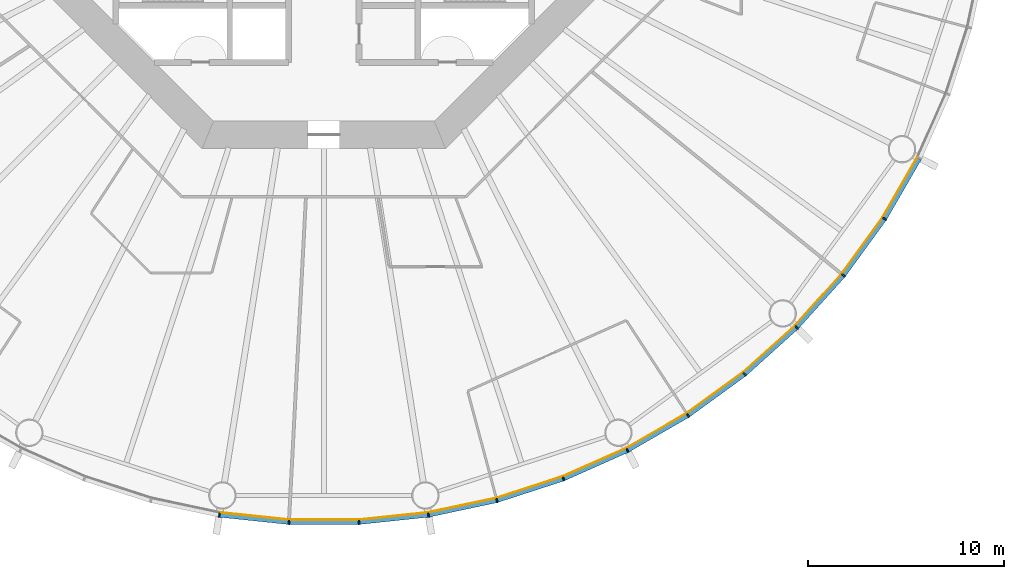
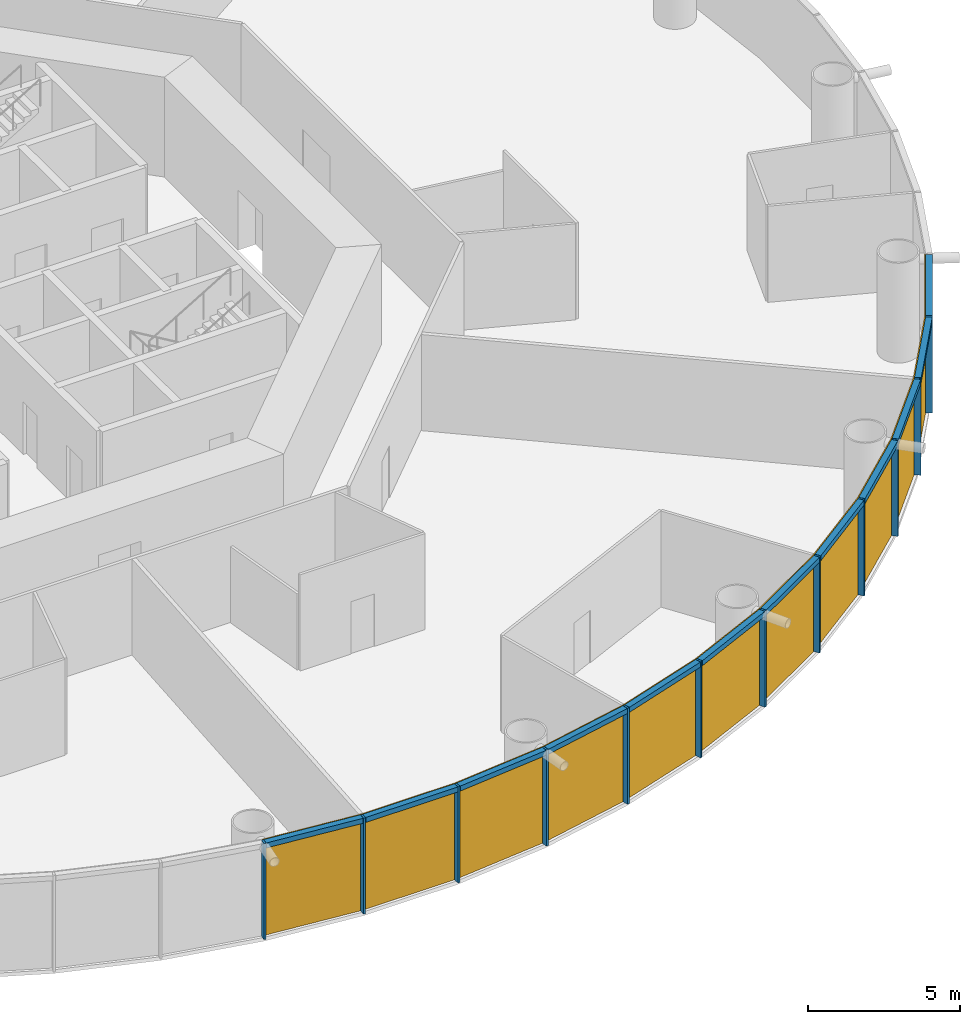
# One storey, part 8 of 13: 24 members, 4 curtain walls.
"""IFC4 building model written with IfcOpenShell, lengths in metres."""

from ifc_helpers import new_model, si_unit, direction, frame, origin, origin_2d, place, context, subcontext, project, spatial, polyline, rectangle, outline, extrude, material, layer, layer_set, material_profile, profile_set, type_object, element, aggregate, save


model = new_model("IFC4")

# Units and contexts
model_context = context("Model", 3, precision=1e-05, world=origin(), true_north=direction((0.0, 1.0)))
body_context = subcontext(model_context, "Body", "Model", "MODEL_VIEW")
ifc_project = project(units=[si_unit("LENGTHUNIT", "METRE"), si_unit("AREAUNIT", "SQUARE_METRE"), si_unit("VOLUMEUNIT", "CUBIC_METRE"), si_unit("PLANEANGLEUNIT", "RADIAN"), si_unit("MASSUNIT", "GRAM", prefix="KILO")], contexts=[model_context])

# Member
ifc_material_1 = material(Name="Anodised aluminium", Category="aluminium")
ifc_material_profile_1 = material_profile(ifc_material_1, rectangle(XDim=0.074951171875, YDim=0.219970703125, at=origin_2d()), Name="Mullion 75 x 220 mm anodised aluminium")
ifc_profile_set_1 = profile_set([ifc_material_profile_1], Name="Anodised aluminium")
member_type_1 = type_object("IfcMemberType", Name="Mullion 75 x 220 mm anodised aluminium", PredefinedType="MULLION", material=ifc_profile_set_1)
site_placement = place(None, origin())
building_placement = place(site_placement, origin())
storey_placement = place(building_placement, frame((0.0, 0.0, 34.0)))
member_1_placement = place(storey_placement, frame((84.6640625, 46.31005859375, 0.0), z_axis=(0.0, 0.0, 1.0), x_axis=(0.987688340595, -0.15643446504, 0.0)))
member_1 = element("IfcMember", 1, at=member_1_placement, type_object=member_type_1, Name="MULLION L06-42", PredefinedType="MULLION", context=body_context, shape_type="SweptSolid", body=[
    extrude(rectangle(XDim=0.074951171875, YDim=0.219970703125, at=origin_2d()), origin(), (0.0, 0.0, 1.0), 3.85009765625),
])

member_2_placement = place(storey_placement, frame((88.21484375, 45.936767578125, 0.0), z_axis=(0.0, 0.0, 1.0), x_axis=(0.998629534755, -0.052335956243, 0.0)))
member_2 = element("IfcMember", 2, at=member_2_placement, type_object=member_type_1, Name="MULLION L06-43", PredefinedType="MULLION", context=body_context, shape_type="SweptSolid", body=[
    extrude(rectangle(XDim=0.074951171875, YDim=0.219970703125, at=origin_2d()), origin(), (0.0, 0.0, 1.0), 3.85009765625),
])

member_3_placement = place(storey_placement, frame((91.78515625, 45.936767578125, 0.0), z_axis=(0.0, 0.0, 1.0), x_axis=(0.998629534755, 0.052335956243, 0.0)))
member_3 = element("IfcMember", 3, at=member_3_placement, type_object=member_type_1, Name="MULLION L06-44", PredefinedType="MULLION", context=body_context, shape_type="SweptSolid", body=[
    extrude(rectangle(XDim=0.074951171875, YDim=0.219970703125, at=origin_2d()), origin(), (0.0, 0.0, 1.0), 3.85009765625),
])

member_4_placement = place(storey_placement, frame((95.3359375, 46.31005859375, 0.0), z_axis=(0.0, 0.0, 1.0), x_axis=(0.987688340595, 0.15643446504, 0.0)))
member_4 = element("IfcMember", 4, at=member_4_placement, type_object=member_type_1, Name="MULLION L06-45", PredefinedType="MULLION", context=body_context, shape_type="SweptSolid", body=[
    extrude(rectangle(XDim=0.074951171875, YDim=0.219970703125, at=origin_2d()), origin(), (0.0, 0.0, 1.0), 3.85009765625),
])

member_5_placement = place(storey_placement, frame((98.828369140625, 47.05224609375, 0.0), z_axis=(0.0, 0.0, 1.0), x_axis=(0.965925826289, 0.258819045103, 0.0)))
member_5 = element("IfcMember", 5, at=member_5_placement, type_object=member_type_1, Name="MULLION L06-46", PredefinedType="MULLION", context=body_context, shape_type="SweptSolid", body=[
    extrude(rectangle(XDim=0.074951171875, YDim=0.219970703125, at=origin_2d()), origin(), (0.0, 0.0, 1.0), 3.85009765625),
])

member_6_placement = place(storey_placement, frame((102.223876953125, 48.155517578125, 0.0), z_axis=(0.0, 0.0, 1.0), x_axis=(0.933580426497, 0.358367949545, 0.0)))
member_6 = element("IfcMember", 6, at=member_6_placement, type_object=member_type_1, Name="MULLION L06-47", PredefinedType="MULLION", context=body_context, shape_type="SweptSolid", body=[
    extrude(rectangle(XDim=0.074951171875, YDim=0.219970703125, at=origin_2d()), origin(), (0.0, 0.0, 1.0), 3.85009765625),
])

member_7_placement = place(storey_placement, frame((105.485595703125, 49.607666015625, 0.0), z_axis=(0.0, 0.0, 1.0), x_axis=(0.891006524188, 0.45399049974, 0.0)))
member_7 = element("IfcMember", 7, at=member_7_placement, type_object=member_type_1, Name="MULLION L06-48", PredefinedType="MULLION", context=body_context, shape_type="SweptSolid", body=[
    extrude(rectangle(XDim=0.074951171875, YDim=0.219970703125, at=origin_2d()), origin(), (0.0, 0.0, 1.0), 3.85009765625),
])

member_8_placement = place(storey_placement, frame((108.57763671875, 51.39306640625, 0.0), z_axis=(0.0, 0.0, 1.0), x_axis=(0.838670567945, 0.544639035015, 0.0)))
member_8 = element("IfcMember", 8, at=member_8_placement, type_object=member_type_1, Name="MULLION L06-49", PredefinedType="MULLION", context=body_context, shape_type="SweptSolid", body=[
    extrude(rectangle(XDim=0.074951171875, YDim=0.219970703125, at=origin_2d()), origin(), (0.0, 0.0, 1.0), 3.85009765625),
])

member_9_placement = place(storey_placement, frame((111.466064453125, 53.491455078125, 0.0), z_axis=(0.0, 0.0, 1.0), x_axis=(0.777145961457, 0.62932039105, 0.0)))
member_9 = element("IfcMember", 9, at=member_9_placement, type_object=member_type_1, Name="MULLION L06-50", PredefinedType="MULLION", context=body_context, shape_type="SweptSolid", body=[
    extrude(rectangle(XDim=0.074951171875, YDim=0.219970703125, at=origin_2d()), origin(), (0.0, 0.0, 1.0), 3.85009765625),
])

member_10_placement = place(storey_placement, frame((114.119384765625, 55.880615234375, 0.0), z_axis=(0.0, 0.0, 1.0), x_axis=(0.707106781187, 0.707106781187, 0.0)))
member_10 = element("IfcMember", 10, at=member_10_placement, type_object=member_type_1, Name="MULLION L06-51", PredefinedType="MULLION", context=body_context, shape_type="SweptSolid", body=[
    extrude(rectangle(XDim=0.074951171875, YDim=0.219970703125, at=origin_2d()), origin(), (0.0, 0.0, 1.0), 3.85009765625),
])

member_11_placement = place(storey_placement, frame((116.508544921875, 58.533935546875, 0.0), z_axis=(0.0, 0.0, 1.0), x_axis=(0.62932039105, 0.777145961457, 0.0)))
member_11 = element("IfcMember", 11, at=member_11_placement, type_object=member_type_1, Name="MULLION L06-52", PredefinedType="MULLION", context=body_context, shape_type="SweptSolid", body=[
    extrude(rectangle(XDim=0.074951171875, YDim=0.219970703125, at=origin_2d()), origin(), (0.0, 0.0, 1.0), 3.85009765625),
])

member_12_placement = place(storey_placement, frame((118.60693359375, 61.42236328125, 0.0), z_axis=(0.0, 0.0, 1.0), x_axis=(0.544639035015, 0.838670567945, 0.0)))
member_12 = element("IfcMember", 12, at=member_12_placement, type_object=member_type_1, Name="MULLION L06-53", PredefinedType="MULLION", context=body_context, shape_type="SweptSolid", body=[
    extrude(rectangle(XDim=0.074951171875, YDim=0.219970703125, at=origin_2d()), origin(), (0.0, 0.0, 1.0), 3.85009765625),
])

ifc_material_2 = material(Name="Anodised aluminium", Category="aluminium")
ifc_material_profile_2 = material_profile(ifc_material_2, rectangle(XDim=0.219970703125, YDim=0.199951171875, at=origin_2d()), Name="Transom 200 x 220 mm anodised aluminium")
ifc_profile_set_2 = profile_set([ifc_material_profile_2], Name="Anodised aluminium")
member_type_2 = type_object("IfcMemberType", Name="Transom 200 x 220 mm anodised aluminium", PredefinedType="USERDEFINED", material=ifc_profile_set_2)
member_13_placement = place(storey_placement, frame((84.70703125, 46.30517578125, 3.75), z_axis=(0.994526551648, -0.104484152234, 0.0), x_axis=(0.104484152234, 0.994526551648, 0.0)))
member_13 = element("IfcMember", 13, at=member_13_placement, type_object=member_type_2, Name="TRANSOM L06-42", ObjectType="TRANSOM", PredefinedType="USERDEFINED", context=body_context, shape_type="SweptSolid", body=[
    extrude(rectangle(XDim=0.219970703125, YDim=0.199951171875, at=origin_2d()), origin(), (0.0, 0.0, 1.0), 3.48388671875),
])

member_14_placement = place(storey_placement, frame((88.258056640625, 45.9365234375, 3.75), z_axis=(1.0, 0.0, 0.0), x_axis=(0.0, 1.0, 0.0)))
member_14 = element("IfcMember", 14, at=member_14_placement, type_object=member_type_2, Name="TRANSOM L06-43", ObjectType="TRANSOM", PredefinedType="USERDEFINED", context=body_context, shape_type="SweptSolid", body=[
    extrude(rectangle(XDim=0.219970703125, YDim=0.199951171875, at=origin_2d()), origin(), (0.0, 0.0, 1.0), 3.48388671875),
])

member_15_placement = place(storey_placement, frame((91.828125, 45.941162109375, 3.75), z_axis=(0.994526551648, 0.104484152234, 0.0), x_axis=(-0.104484152234, 0.994526551648, 0.0)))
member_15 = element("IfcMember", 15, at=member_15_placement, type_object=member_type_2, Name="TRANSOM L06-44", ObjectType="TRANSOM", PredefinedType="USERDEFINED", context=body_context, shape_type="SweptSolid", body=[
    extrude(rectangle(XDim=0.219970703125, YDim=0.199951171875, at=origin_2d()), origin(), (0.0, 0.0, 1.0), 3.48388671875),
])

member_16_placement = place(storey_placement, frame((95.37841796875, 46.31884765625, 3.75), z_axis=(0.978145669426, 0.207920776701, 0.0), x_axis=(-0.207920776701, 0.978145669426, 0.0)))
member_16 = element("IfcMember", 16, at=member_16_placement, type_object=member_type_2, Name="TRANSOM L06-45", ObjectType="TRANSOM", PredefinedType="USERDEFINED", context=body_context, shape_type="SweptSolid", body=[
    extrude(rectangle(XDim=0.219970703125, YDim=0.199951171875, at=origin_2d()), origin(), (0.0, 0.0, 1.0), 3.48388671875),
])

member_17_placement = place(storey_placement, frame((98.869384765625, 47.0654296875, 3.75), z_axis=(0.951052605696, 0.309029029702, 0.0), x_axis=(-0.309029029702, 0.951052605696, 0.0)))
member_17 = element("IfcMember", 17, at=member_17_placement, type_object=member_type_2, Name="TRANSOM L06-46", ObjectType="TRANSOM", PredefinedType="USERDEFINED", context=body_context, shape_type="SweptSolid", body=[
    extrude(rectangle(XDim=0.219970703125, YDim=0.199951171875, at=origin_2d()), origin(), (0.0, 0.0, 1.0), 3.484130859375),
])

member_18_placement = place(storey_placement, frame((102.263427734375, 48.173095703125, 3.75), z_axis=(0.913545487371, 0.406736576304, 0.0), x_axis=(-0.406736576304, 0.913545487371, 0.0)))
member_18 = element("IfcMember", 18, at=member_18_placement, type_object=member_type_2, Name="TRANSOM L06-47", ObjectType="TRANSOM", PredefinedType="USERDEFINED", context=body_context, shape_type="SweptSolid", body=[
    extrude(rectangle(XDim=0.219970703125, YDim=0.199951171875, at=origin_2d()), origin(), (0.0, 0.0, 1.0), 3.48388671875),
])

member_19_placement = place(storey_placement, frame((105.523193359375, 49.629150390625, 3.75), z_axis=(0.866022206254, 0.500005538244, 0.0), x_axis=(-0.500005538244, 0.866022206254, 0.0)))
member_19 = element("IfcMember", 19, at=member_19_placement, type_object=member_type_2, Name="TRANSOM L06-48", ObjectType="TRANSOM", PredefinedType="USERDEFINED", context=body_context, shape_type="SweptSolid", body=[
    extrude(rectangle(XDim=0.219970703125, YDim=0.199951171875, at=origin_2d()), origin(), (0.0, 0.0, 1.0), 3.48388671875),
])

member_20_placement = place(storey_placement, frame((108.61279296875, 51.418212890625, 3.75), z_axis=(0.80899056535, 0.587821627006, 0.0), x_axis=(-0.587821627006, 0.80899056535, 0.0)))
member_20 = element("IfcMember", 20, at=member_20_placement, type_object=member_type_2, Name="TRANSOM L06-49", ObjectType="TRANSOM", PredefinedType="USERDEFINED", context=body_context, shape_type="SweptSolid", body=[
    extrude(rectangle(XDim=0.219970703125, YDim=0.199951171875, at=origin_2d()), origin(), (0.0, 0.0, 1.0), 3.48388671875),
])

member_21_placement = place(storey_placement, frame((111.498291015625, 53.520263671875, 3.75), z_axis=(0.743137329876, 0.669138930974, 0.0), x_axis=(-0.669138930974, 0.743137329876, 0.0)))
member_21 = element("IfcMember", 21, at=member_21_placement, type_object=member_type_2, Name="TRANSOM L06-50", ObjectType="TRANSOM", PredefinedType="USERDEFINED", context=body_context, shape_type="SweptSolid", body=[
    extrude(rectangle(XDim=0.219970703125, YDim=0.199951171875, at=origin_2d()), origin(), (0.0, 0.0, 1.0), 3.484130859375),
])

member_22_placement = place(storey_placement, frame((114.1484375, 55.91259765625, 3.75), z_axis=(0.669138930974, 0.743137329876, 0.0), x_axis=(-0.743137329876, 0.669138930974, 0.0)))
member_22 = element("IfcMember", 22, at=member_22_placement, type_object=member_type_2, Name="TRANSOM L06-51", ObjectType="TRANSOM", PredefinedType="USERDEFINED", context=body_context, shape_type="SweptSolid", body=[
    extrude(rectangle(XDim=0.219970703125, YDim=0.199951171875, at=origin_2d()), origin(), (0.0, 0.0, 1.0), 3.484130859375),
])

member_23_placement = place(storey_placement, frame((116.533935546875, 58.56884765625, 3.75), z_axis=(0.587821627006, 0.80899056535, 0.0), x_axis=(-0.80899056535, 0.587821627006, 0.0)))
member_23 = element("IfcMember", 23, at=member_23_placement, type_object=member_type_2, Name="TRANSOM L06-52", ObjectType="TRANSOM", PredefinedType="USERDEFINED", context=body_context, shape_type="SweptSolid", body=[
    extrude(rectangle(XDim=0.219970703125, YDim=0.199951171875, at=origin_2d()), origin(), (0.0, 0.0, 1.0), 3.48388671875),
])

member_24_placement = place(storey_placement, frame((118.62890625, 61.459716796875, 3.75), z_axis=(0.500005538244, 0.866022206254, 0.0), x_axis=(-0.866022206254, 0.500005538244, 0.0)))
member_24 = element("IfcMember", 24, at=member_24_placement, type_object=member_type_2, Name="TRANSOM L06-53", ObjectType="TRANSOM", PredefinedType="USERDEFINED", context=body_context, shape_type="SweptSolid", body=[
    extrude(rectangle(XDim=0.219970703125, YDim=0.199951171875, at=origin_2d()), origin(), (0.0, 0.0, 1.0), 3.48388671875),
])

# Site, building, storey
site = spatial("IfcSite", under=ifc_project, at=site_placement, CompositionType="ELEMENT")
building = spatial("IfcBuilding", under=site, at=building_placement, Name="Entoto Ring Tower", CompositionType="ELEMENT")
storey = spatial("IfcBuildingStorey", under=building, at=storey_placement, Name="L06", CompositionType="ELEMENT", Elevation=34.0)

# Curtain wall
ifc_material_3 = material(Name="Clear low-iron glass", Category="glass")
ifc_layer = layer(ifc_material_3, 0.0400390625)
ifc_layer_set = layer_set([ifc_layer], Name="Clear low-iron glass")
curtain_wall_type = type_object("IfcCurtainWallType", Name="Curtain wall system CW1 glazing 40 mm", PredefinedType="NOTDEFINED", material=ifc_layer_set)
curtain_wall_1_placement = place(storey_placement, origin())
curtain_wall_1 = element("IfcCurtainWall", 25, at=curtain_wall_1_placement, inside=storey, type_object=curtain_wall_type, Name="CW1 L06-15", PredefinedType="NOTDEFINED", context=body_context, shape_type="SweptSolid", body=[
    extrude(outline(polyline([(84.68115234375, 46.418701171875), (88.220458984375, 46.046630859375), (91.779541015625, 46.046630859375), (95.31884765625, 46.418701171875), (95.3125, 46.458251953125), (91.77734375, 46.086669921875), (88.22265625, 46.086669921875), (84.6875, 46.458251953125), (84.68115234375, 46.418701171875)])), origin(), (0.0, 0.0, 1.0), 3.85009765625),
])

aggregate(curtain_wall_1, [member_1, member_2, member_3, member_13, member_14, member_15])

curtain_wall_2_placement = place(storey_placement, origin())
curtain_wall_2 = element("IfcCurtainWall", 26, at=curtain_wall_2_placement, inside=storey, type_object=curtain_wall_type, Name="CW1 L06-16", PredefinedType="NOTDEFINED", context=body_context, shape_type="SweptSolid", body=[
    extrude(outline(polyline([(95.31884765625, 46.418701171875), (98.7998046875, 47.158447265625), (102.1845703125, 48.25830078125), (105.435791015625, 49.705810546875), (105.41748046875, 49.741455078125), (102.170166015625, 48.295654296875), (98.78955078125, 47.197265625), (95.3125, 46.458251953125), (95.31884765625, 46.418701171875)])), origin(), (0.0, 0.0, 1.0), 3.85009765625),
])

aggregate(curtain_wall_2, [member_4, member_5, member_6, member_16, member_17, member_18])

curtain_wall_3_placement = place(storey_placement, origin())
curtain_wall_3 = element("IfcCurtainWall", 27, at=curtain_wall_3_placement, inside=storey, type_object=curtain_wall_type, Name="CW1 L06-17", PredefinedType="NOTDEFINED", context=body_context, shape_type="SweptSolid", body=[
    extrude(outline(polyline([(105.435791015625, 49.705810546875), (108.517822265625, 51.485107421875), (111.39697265625, 53.5771484375), (114.041748046875, 55.958251953125), (114.013427734375, 55.986572265625), (111.37158203125, 53.608154296875), (108.495849609375, 51.518798828125), (105.41748046875, 49.741455078125), (105.435791015625, 49.705810546875)])), origin(), (0.0, 0.0, 1.0), 3.85009765625),
])

aggregate(curtain_wall_3, [member_7, member_8, member_9, member_19, member_20, member_21])

curtain_wall_4_placement = place(storey_placement, origin())
curtain_wall_4 = element("IfcCurtainWall", 28, at=curtain_wall_4_placement, inside=storey, type_object=curtain_wall_type, Name="CW1 L06-18", PredefinedType="NOTDEFINED", context=body_context, shape_type="SweptSolid", body=[
    extrude(outline(polyline([(114.041748046875, 55.958251953125), (116.4228515625, 58.60302734375), (118.514892578125, 61.482177734375), (120.294189453125, 64.564208984375), (120.258544921875, 64.58251953125), (118.481201171875, 61.504150390625), (116.391845703125, 58.62841796875), (114.013427734375, 55.986572265625), (114.041748046875, 55.958251953125)])), origin(), (0.0, 0.0, 1.0), 3.85009765625),
])

aggregate(curtain_wall_4, [member_10, member_11, member_12, member_22, member_23, member_24])

save(model, "model.ifc")
